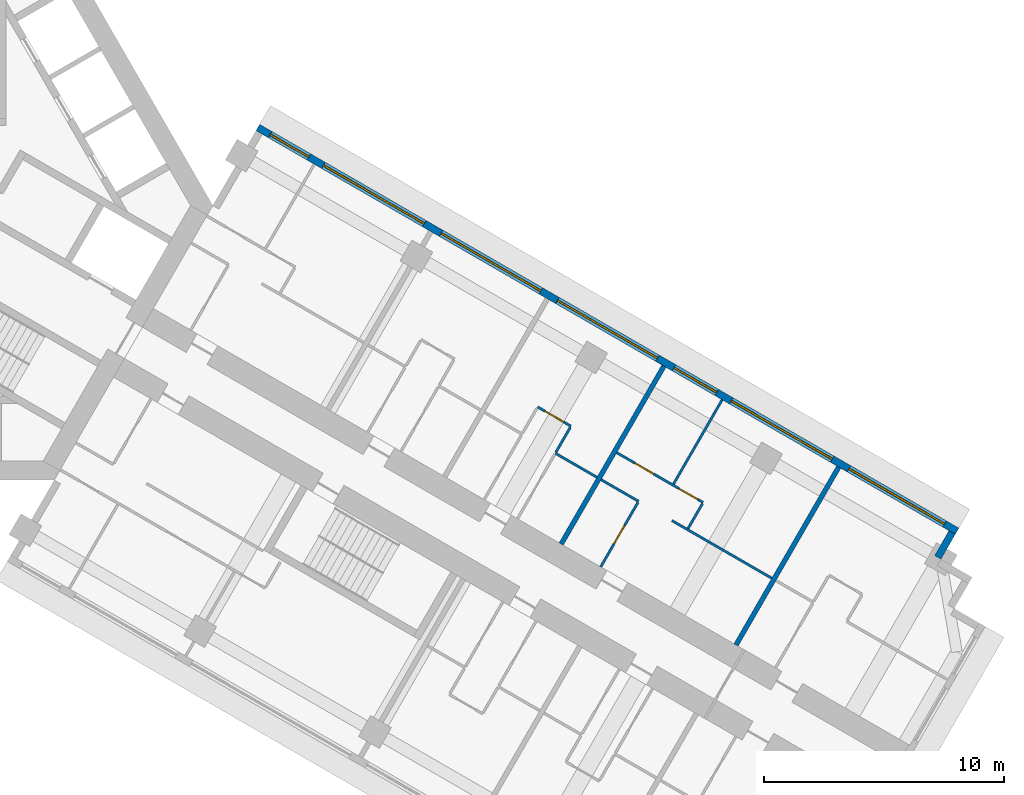
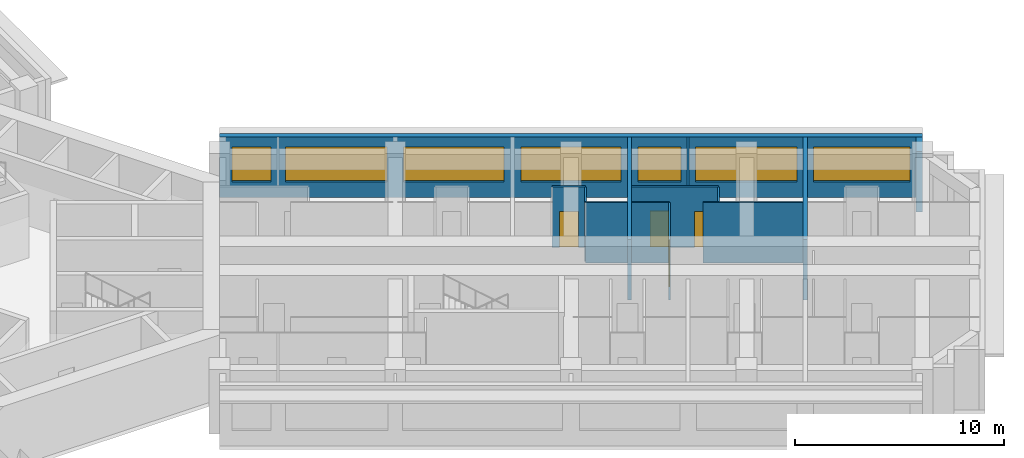
# One storey, part 11 of 13: 13 walls, 7 windows, 4 doors, 11 openings.
"""IFC4 building model written with IfcOpenShell, lengths in metres."""

from ifc_helpers import new_model, si_unit, direction, frame, frame_2d, origin, place, context, subcontext, project, spatial, rectangle, extrude, material, layer, layer_set, type_object, element, fill, save


model = new_model("IFC4")

# Units and contexts
model_context = context("Model", 3, precision=1e-05, world=origin(), true_north=direction((0.0, 1.0)))
body_context = subcontext(model_context, "Body", "Model", "MODEL_VIEW")
ifc_project = project(units=[si_unit("LENGTHUNIT", "METRE"), si_unit("AREAUNIT", "SQUARE_METRE"), si_unit("VOLUMEUNIT", "CUBIC_METRE"), si_unit("PLANEANGLEUNIT", "RADIAN"), si_unit("MASSUNIT", "GRAM", prefix="KILO")], contexts=[model_context])

# Site, building, storey
site_placement = place(None, origin())
site = spatial("IfcSite", under=ifc_project, at=site_placement, CompositionType="ELEMENT")
building_placement = place(site_placement, origin())
building = spatial("IfcBuilding", under=site, at=building_placement, Name="Impinga Residences", CompositionType="ELEMENT")
storey_placement = place(building_placement, frame((0.0, 0.0, 136.0)))
storey = spatial("IfcBuildingStorey", under=building, at=storey_placement, Name="L33", CompositionType="ELEMENT", Elevation=136.0)

# Wall
ifc_material_1 = material(Name="Terracotta rainscreen on blockwork", Category="masonry")
ifc_layer_1 = layer(ifc_material_1, 0.300048828125)
ifc_layer_set_1 = layer_set([ifc_layer_1], Name="EW1 external wall, terracotta rainscreen on blockwork 300")
wall_type_1 = type_object("IfcWallType", Name="EW1 external wall, terracotta rainscreen on blockwork 300", PredefinedType="SOLIDWALL", material=ifc_layer_set_1)
wall_1_placement = place(storey_placement, frame((43.968505859375, -13.607421875, 0.0), z_axis=(0.0, 0.0, 1.0), x_axis=(-0.500029051137, -0.866008630453, 0.0)))
element("IfcWall", 1, at=wall_1_placement, inside=storey, type_object=wall_type_1, Name="External wall EW1 L33", PredefinedType="SOLIDWALL", context=body_context, shape_type="SweptSolid", body=[
    extrude(rectangle(XDim=1.19482421875, YDim=0.300048828125, at=frame_2d((0.597412109375, 0.0))), origin(), (0.0, 0.0, 1.0), 3.530029296875),
])

# Wall, openings, windows
wall_2_placement = place(storey_placement, frame((15.074951171875, 3.24755859375, 0.0), z_axis=(0.0, 0.0, 1.0), x_axis=(0.866024291668, -0.500001926238, 0.0)))
wall_2 = element("IfcWall", 2, at=wall_2_placement, inside=storey, type_object=wall_type_1, Name="External wall EW1 L33", PredefinedType="SOLIDWALL", context=body_context, shape_type="SweptSolid", body=[
    extrude(rectangle(XDim=33.599853515625, YDim=0.300048828125, at=frame_2d((16.7998046875, 0.0))), origin(), (0.0, 0.0, 1.0), 3.530029296875),
])
opening_1_placement = place(wall_2_placement, frame((0.60009765625, 0.0, 0.89990234375)))
opening_1 = element("IfcOpeningElement", 3, at=opening_1_placement, cuts=wall_2, Name="Opening W15", PredefinedType="OPENING", context=body_context, shape_type="SweptSolid", body=[
    extrude(rectangle(XDim=1.85009765625, YDim=2.050048828125, at=frame_2d((0.925048828125, 1.02490234375))), frame((0.0, 0.159912109375, 0.0), z_axis=(0.0, -1.0, 0.0), x_axis=(1.0, 0.0, 0.0)), (0.0, 0.0, 1.0), 0.320068359375),
])
opening_2_placement = place(wall_2_placement, frame((3.14990234375, 0.0, 0.89990234375)))
opening_2 = element("IfcOpeningElement", 4, at=opening_2_placement, cuts=wall_2, Name="Opening W6", PredefinedType="OPENING", context=body_context, shape_type="SweptSolid", body=[
    extrude(rectangle(XDim=4.85009765625, YDim=2.050048828125, at=frame_2d((2.425048828125, 1.02490234375))), frame((0.0, 0.159912109375, 0.0), z_axis=(0.0, -1.0, 0.0), x_axis=(1.0, 0.0, 0.0)), (0.0, 0.0, 1.0), 0.320068359375),
])
opening_3_placement = place(wall_2_placement, frame((8.800048828125, 0.0, 0.89990234375)))
opening_3 = element("IfcOpeningElement", 5, at=opening_3_placement, cuts=wall_2, Name="Opening W8", PredefinedType="OPENING", context=body_context, shape_type="SweptSolid", body=[
    extrude(rectangle(XDim=4.800048828125, YDim=2.050048828125, at=frame_2d((2.39990234375, 1.02490234375))), frame((0.0, 0.159912109375, 0.0), z_axis=(0.0, -1.0, 0.0), x_axis=(1.0, 0.0, 0.0)), (0.0, 0.0, 1.0), 0.320068359375),
])
opening_4_placement = place(wall_2_placement, frame((14.39990234375, 0.0, 0.89990234375)))
opening_4 = element("IfcOpeningElement", 6, at=opening_4_placement, cuts=wall_2, Name="Opening W8", PredefinedType="OPENING", context=body_context, shape_type="SweptSolid", body=[
    extrude(rectangle(XDim=4.800048828125, YDim=2.050048828125, at=frame_2d((2.39990234375, 1.02490234375))), frame((0.0, 0.159912109375, 0.0), z_axis=(0.0, -1.0, 0.0), x_axis=(1.0, 0.0, 0.0)), (0.0, 0.0, 1.0), 0.320068359375),
])
opening_5_placement = place(wall_2_placement, frame((20.0, 0.0, 0.89990234375)))
opening_5 = element("IfcOpeningElement", 7, at=opening_5_placement, cuts=wall_2, Name="Opening W14", PredefinedType="OPENING", context=body_context, shape_type="SweptSolid", body=[
    extrude(rectangle(XDim=2.050048828125, YDim=2.050048828125, at=frame_2d((1.02490234375, 1.02490234375))), frame((0.0, 0.159912109375, 0.0), z_axis=(0.0, -1.0, 0.0), x_axis=(1.0, 0.0, 0.0)), (0.0, 0.0, 1.0), 0.320068359375),
])
opening_6_placement = place(wall_2_placement, frame((22.75, 0.0, 0.89990234375)))
opening_6 = element("IfcOpeningElement", 8, at=opening_6_placement, cuts=wall_2, Name="Opening W6", PredefinedType="OPENING", context=body_context, shape_type="SweptSolid", body=[
    extrude(rectangle(XDim=4.85009765625, YDim=2.050048828125, at=frame_2d((2.425048828125, 1.02490234375))), frame((0.0, 0.159912109375, 0.0), z_axis=(0.0, -1.0, 0.0), x_axis=(1.0, 0.0, 0.0)), (0.0, 0.0, 1.0), 0.320068359375),
])
opening_7_placement = place(wall_2_placement, frame((28.39990234375, 0.0, 0.89990234375)))
opening_7 = element("IfcOpeningElement", 9, at=opening_7_placement, cuts=wall_2, Name="Opening W3", PredefinedType="OPENING", context=body_context, shape_type="SweptSolid", body=[
    extrude(rectangle(XDim=4.60009765625, YDim=2.050048828125, at=frame_2d((2.300048828125, 1.02490234375))), frame((0.0, 0.159912109375, 0.0), z_axis=(0.0, -1.0, 0.0), x_axis=(1.0, 0.0, 0.0)), (0.0, 0.0, 1.0), 0.320068359375),
])
ifc_material_2 = material(Name="Aluminium window, clear double glazing", Category="aluminium")
window_type_1 = type_object("IfcWindowType", Name="W14 ribbon window 2050x2050", PartitioningType="SINGLE_PANEL", PredefinedType="WINDOW", material=ifc_material_2)
window_1_placement = place(opening_5_placement, origin())
window_1 = element("IfcWindow", 10, at=window_1_placement, inside=storey, type_object=window_type_1, Name="Window L33", OverallHeight=2.050048828125, OverallWidth=2.050048828125, PartitioningType="SINGLE_PANEL", PredefinedType="WINDOW", context=body_context, shape_type="SweptSolid", body=[
    extrude(rectangle(XDim=2.050048828125, YDim=2.050048828125, at=frame_2d((1.02490234375, 1.02490234375))), frame((0.0, 0.030029296875, 0.0), z_axis=(0.0, -1.0, 0.0), x_axis=(1.0, 0.0, 0.0)), (0.0, 0.0, 1.0), 0.06005859375),
])
fill(opening_5, window_1)
window_type_2 = type_object("IfcWindowType", Name="W15 ribbon window 1850x2050", PartitioningType="SINGLE_PANEL", PredefinedType="WINDOW", material=ifc_material_2)
window_2_placement = place(opening_1_placement, origin())
window_2 = element("IfcWindow", 11, at=window_2_placement, inside=storey, type_object=window_type_2, Name="Window L33", OverallHeight=2.050048828125, OverallWidth=1.85009765625, PartitioningType="SINGLE_PANEL", PredefinedType="WINDOW", context=body_context, shape_type="SweptSolid", body=[
    extrude(rectangle(XDim=1.85009765625, YDim=2.050048828125, at=frame_2d((0.925048828125, 1.02490234375))), frame((0.0, 0.030029296875, 0.0), z_axis=(0.0, -1.0, 0.0), x_axis=(1.0, 0.0, 0.0)), (0.0, 0.0, 1.0), 0.06005859375),
])
fill(opening_1, window_2)
window_type_3 = type_object("IfcWindowType", Name="W3 ribbon window 4600x2050", PartitioningType="SINGLE_PANEL", PredefinedType="WINDOW", material=ifc_material_2)
window_3_placement = place(opening_7_placement, origin())
window_3 = element("IfcWindow", 12, at=window_3_placement, inside=storey, type_object=window_type_3, Name="Window L33", OverallHeight=2.050048828125, OverallWidth=4.60009765625, PartitioningType="SINGLE_PANEL", PredefinedType="WINDOW", context=body_context, shape_type="SweptSolid", body=[
    extrude(rectangle(XDim=4.60009765625, YDim=2.050048828125, at=frame_2d((2.300048828125, 1.02490234375))), frame((0.0, 0.030029296875, 0.0), z_axis=(0.0, -1.0, 0.0), x_axis=(1.0, 0.0, 0.0)), (0.0, 0.0, 1.0), 0.06005859375),
])
fill(opening_7, window_3)
window_type_4 = type_object("IfcWindowType", Name="W6 ribbon window 4850x2050", PartitioningType="SINGLE_PANEL", PredefinedType="WINDOW", material=ifc_material_2)
window_4_placement = place(opening_2_placement, origin())
window_4 = element("IfcWindow", 13, at=window_4_placement, inside=storey, type_object=window_type_4, Name="Window L33", OverallHeight=2.050048828125, OverallWidth=4.85009765625, PartitioningType="SINGLE_PANEL", PredefinedType="WINDOW", context=body_context, shape_type="SweptSolid", body=[
    extrude(rectangle(XDim=4.85009765625, YDim=2.050048828125, at=frame_2d((2.425048828125, 1.02490234375))), frame((0.0, 0.030029296875, 0.0), z_axis=(0.0, -1.0, 0.0), x_axis=(1.0, 0.0, 0.0)), (0.0, 0.0, 1.0), 0.06005859375),
])
fill(opening_2, window_4)
window_5_placement = place(opening_6_placement, origin())
window_5 = element("IfcWindow", 14, at=window_5_placement, inside=storey, type_object=window_type_4, Name="Window L33", OverallHeight=2.050048828125, OverallWidth=4.85009765625, PartitioningType="SINGLE_PANEL", PredefinedType="WINDOW", context=body_context, shape_type="SweptSolid", body=[
    extrude(rectangle(XDim=4.85009765625, YDim=2.050048828125, at=frame_2d((2.425048828125, 1.02490234375))), frame((0.0, 0.030029296875, 0.0), z_axis=(0.0, -1.0, 0.0), x_axis=(1.0, 0.0, 0.0)), (0.0, 0.0, 1.0), 0.06005859375),
])
fill(opening_6, window_5)
window_type_5 = type_object("IfcWindowType", Name="W8 ribbon window 4800x2050", PartitioningType="SINGLE_PANEL", PredefinedType="WINDOW", material=ifc_material_2)
window_6_placement = place(opening_3_placement, origin())
window_6 = element("IfcWindow", 15, at=window_6_placement, inside=storey, type_object=window_type_5, Name="Window L33", OverallHeight=2.050048828125, OverallWidth=4.800048828125, PartitioningType="SINGLE_PANEL", PredefinedType="WINDOW", context=body_context, shape_type="SweptSolid", body=[
    extrude(rectangle(XDim=4.800048828125, YDim=2.050048828125, at=frame_2d((2.39990234375, 1.02490234375))), frame((0.0, 0.030029296875, 0.0), z_axis=(0.0, -1.0, 0.0), x_axis=(1.0, 0.0, 0.0)), (0.0, 0.0, 1.0), 0.06005859375),
])
fill(opening_3, window_6)
window_7_placement = place(opening_4_placement, origin())
window_7 = element("IfcWindow", 16, at=window_7_placement, inside=storey, type_object=window_type_5, Name="Window L33", OverallHeight=2.050048828125, OverallWidth=4.800048828125, PartitioningType="SINGLE_PANEL", PredefinedType="WINDOW", context=body_context, shape_type="SweptSolid", body=[
    extrude(rectangle(XDim=4.800048828125, YDim=2.050048828125, at=frame_2d((2.39990234375, 1.02490234375))), frame((0.0, 0.030029296875, 0.0), z_axis=(0.0, -1.0, 0.0), x_axis=(1.0, 0.0, 0.0)), (0.0, 0.0, 1.0), 0.06005859375),
])
fill(opening_4, window_7)

# Wall
ifc_material_3 = material(Name="Gypsum board on steel studs", Category="steel")
ifc_layer_2 = layer(ifc_material_3, 0.10009765625)
ifc_layer_set_2 = layer_set([ifc_layer_2], Name="Gypsum board on steel studs")
wall_type_2 = type_object("IfcWallType", Name="IP1 partition 100", PredefinedType="PARTITIONING", material=ifc_layer_set_2)
wall_3_placement = place(storey_placement, frame((27.45556640625, -10.308837890625, 0.0), z_axis=(0.0, 0.0, 1.0), x_axis=(0.866010750942, -0.50002537861, 0.0)))
element("IfcWall", 17, at=wall_3_placement, inside=storey, type_object=wall_type_2, Name="Partition L33-EA3:DIV1", PredefinedType="PARTITIONING", context=body_context, shape_type="SweptSolid", body=[
    extrude(rectangle(XDim=2.0, YDim=0.10009765625, at=frame_2d((1.0, 0.0))), origin(), (0.0, 0.0, 1.0), 3.530029296875),
])

# Wall, opening, door
wall_4_placement = place(storey_placement, frame((26.7197265625, -8.383056640625, 0.0), z_axis=(0.0, 0.0, 1.0), x_axis=(0.866028054938, -0.499995408039, 0.0)))
wall_4 = element("IfcWall", 18, at=wall_4_placement, inside=storey, type_object=wall_type_2, Name="Partition L33-EA3:STRIP", PredefinedType="PARTITIONING", context=body_context, shape_type="SweptSolid", body=[
    extrude(rectangle(XDim=1.60009765625, YDim=0.10009765625, at=frame_2d((0.800048828125, 0.0))), origin(), (0.0, 0.0, 1.0), 3.530029296875),
])
opening_8_placement = place(wall_4_placement, frame((0.35009765625, 0.0, 0.0)))
opening_8 = element("IfcOpeningElement", 19, at=opening_8_placement, cuts=wall_4, Name="Opening D2", PredefinedType="OPENING", context=body_context, shape_type="SweptSolid", body=[
    extrude(rectangle(XDim=0.89990234375, YDim=2.10009765625, at=frame_2d((0.449951171875, 1.050048828125))), frame((0.0, 0.06005859375, 0.0), z_axis=(0.0, -1.0, 0.0), x_axis=(1.0, 0.0, 0.0)), (0.0, 0.0, 1.0), 0.1201171875),
])
ifc_material_4 = material(Name="Timber door set", Category="wood")
door_type = type_object("IfcDoorType", Name="D2 internal door 900x2100", OperationType="SINGLE_SWING_LEFT", PredefinedType="DOOR", material=ifc_material_4)
door_1_placement = place(opening_8_placement, origin())
door_1 = element("IfcDoor", 20, at=door_1_placement, inside=storey, type_object=door_type, Name="Apartment L33-EA3 room door", OperationType="SINGLE_SWING_LEFT", OverallHeight=2.10009765625, OverallWidth=0.89990234375, PredefinedType="DOOR", context=body_context, shape_type="SweptSolid", body=[
    extrude(rectangle(XDim=0.89990234375, YDim=2.10009765625, at=frame_2d((0.449951171875, 1.050048828125))), frame((0.0, 0.02490234375, 0.0), z_axis=(0.0, -1.0, 0.0), x_axis=(1.0, 0.0, 0.0)), (0.0, 0.0, 1.0), 0.050048828125),
])
fill(opening_8, door_1)

# Walls
wall_5_placement = place(storey_placement, frame((27.48046875, -10.265625, 0.0), z_axis=(0.0, 0.0, 1.0), x_axis=(0.500033551112, 0.866006032174, 0.0)))
element("IfcWall", 21, at=wall_5_placement, inside=storey, type_object=wall_type_2, Name="Partition L33-EA3:SE1", PredefinedType="PARTITIONING", context=body_context, shape_type="SweptSolid", body=[
    extrude(rectangle(XDim=1.2001953125, YDim=0.10009765625, at=frame_2d((0.60009765625, 0.0))), origin(), (0.0, 0.0, 1.0), 3.530029296875),
])
wall_6_placement = place(storey_placement, frame((29.360595703125, -11.408935546875, 0.0), z_axis=(0.0, 0.0, 1.0), x_axis=(0.866047807691, -0.499961193289, 0.0)))
element("IfcWall", 22, at=wall_6_placement, inside=storey, type_object=wall_type_2, Name="Partition L33-EA4:DIV0", PredefinedType="PARTITIONING", context=body_context, shape_type="SweptSolid", body=[
    extrude(rectangle(XDim=1.800048828125, YDim=0.10009765625, at=frame_2d((0.89990234375, 0.0))), origin(), (0.0, 0.0, 1.0), 3.530029296875),
])
wall_7_placement = place(storey_placement, frame((32.30517578125, -13.10888671875, 0.0), z_axis=(0.0, 0.0, 1.0), x_axis=(0.866037363387, -0.499979284789, 0.0)))
element("IfcWall", 23, at=wall_7_placement, inside=storey, type_object=wall_type_2, Name="Partition L33-EA4:DIV1", PredefinedType="PARTITIONING", context=body_context, shape_type="SweptSolid", body=[
    extrude(rectangle(XDim=4.800048828125, YDim=0.10009765625, at=frame_2d((2.39990234375, 0.0))), origin(), (0.0, 0.0, 1.0), 3.530029296875),
])

# Wall, openings, doors
wall_8_placement = place(storey_placement, frame((30.0107421875, -10.282958984375, 0.0), z_axis=(0.0, 0.0, 1.0), x_axis=(0.86602981871, -0.499992353047, 0.0)))
wall_8 = element("IfcWall", 24, at=wall_8_placement, inside=storey, type_object=wall_type_2, Name="Partition L33-EA4:STRIP", PredefinedType="PARTITIONING", context=body_context, shape_type="SweptSolid", body=[
    extrude(rectangle(XDim=4.14990234375, YDim=0.10009765625, at=frame_2d((2.074951171875, 0.0))), origin(), (0.0, 0.0, 1.0), 3.530029296875),
])
opening_9_placement = place(wall_8_placement, frame((0.875, 0.0, 0.0)))
opening_9 = element("IfcOpeningElement", 25, at=opening_9_placement, cuts=wall_8, Name="Opening D2", PredefinedType="OPENING", context=body_context, shape_type="SweptSolid", body=[
    extrude(rectangle(XDim=0.89990234375, YDim=2.10009765625, at=frame_2d((0.449951171875, 1.050048828125))), frame((0.0, 0.06005859375, 0.0), z_axis=(0.0, -1.0, 0.0), x_axis=(1.0, 0.0, 0.0)), (0.0, 0.0, 1.0), 0.1201171875),
])
opening_10_placement = place(wall_8_placement, frame((3.0, 0.0, 0.0)))
opening_10 = element("IfcOpeningElement", 26, at=opening_10_placement, cuts=wall_8, Name="Opening D2", PredefinedType="OPENING", context=body_context, shape_type="SweptSolid", body=[
    extrude(rectangle(XDim=0.89990234375, YDim=2.10009765625, at=frame_2d((0.449951171875, 1.050048828125))), frame((0.0, 0.06005859375, 0.0), z_axis=(0.0, -1.0, 0.0), x_axis=(1.0, 0.0, 0.0)), (0.0, 0.0, 1.0), 0.1201171875),
])
door_2_placement = place(opening_9_placement, origin())
door_2 = element("IfcDoor", 27, at=door_2_placement, inside=storey, type_object=door_type, Name="Apartment L33-EA4 room door", OperationType="SINGLE_SWING_LEFT", OverallHeight=2.10009765625, OverallWidth=0.89990234375, PredefinedType="DOOR", context=body_context, shape_type="SweptSolid", body=[
    extrude(rectangle(XDim=0.89990234375, YDim=2.10009765625, at=frame_2d((0.449951171875, 1.050048828125))), frame((0.0, 0.02490234375, 0.0), z_axis=(0.0, -1.0, 0.0), x_axis=(1.0, 0.0, 0.0)), (0.0, 0.0, 1.0), 0.050048828125),
])
fill(opening_9, door_2)
door_3_placement = place(opening_10_placement, origin())
door_3 = element("IfcDoor", 28, at=door_3_placement, inside=storey, type_object=door_type, Name="Apartment L33-EA4 room door", OperationType="SINGLE_SWING_RIGHT", OverallHeight=2.10009765625, OverallWidth=0.89990234375, PredefinedType="DOOR", context=body_context, shape_type="SweptSolid", body=[
    extrude(rectangle(XDim=0.89990234375, YDim=2.10009765625, at=frame_2d((0.449951171875, 1.050048828125))), frame((0.0, 0.02490234375, 0.0), z_axis=(0.0, -1.0, 0.0), x_axis=(1.0, 0.0, 0.0)), (0.0, 0.0, 1.0), 0.050048828125),
])
fill(opening_10, door_3)

# Wall
wall_9_placement = place(storey_placement, frame((32.979736328125, -13.4404296875, 0.0), z_axis=(0.0, 0.0, 1.0), x_axis=(0.499969057507, 0.866043267704, 0.0)))
element("IfcWall", 29, at=wall_9_placement, inside=storey, type_object=wall_type_2, Name="Partition L33-EA4:SE1", PredefinedType="PARTITIONING", context=body_context, shape_type="SweptSolid", body=[
    extrude(rectangle(XDim=1.19970703125, YDim=0.10009765625, at=frame_2d((0.599853515625, 0.0))), origin(), (0.0, 0.0, 1.0), 3.530029296875),
])

# Wall, opening, door
wall_10_placement = place(storey_placement, frame((29.344482421875, -15.036865234375, 0.0), z_axis=(0.0, 0.0, 1.0), x_axis=(0.49999285859, 0.86602952684, 0.0)))
wall_10 = element("IfcWall", 30, at=wall_10_placement, inside=storey, type_object=wall_type_2, Name="Partition L33-EA4:IB1", PredefinedType="PARTITIONING", context=body_context, shape_type="SweptSolid", body=[
    extrude(rectangle(XDim=3.10009765625, YDim=0.10009765625, at=frame_2d((1.550048828125, 0.0))), origin(), (0.0, 0.0, 1.0), 3.530029296875),
])
opening_11_placement = place(wall_10_placement, frame((1.10009765625, 0.0, 0.0)))
opening_11 = element("IfcOpeningElement", 31, at=opening_11_placement, cuts=wall_10, Name="Opening D2", PredefinedType="OPENING", context=body_context, shape_type="SweptSolid", body=[
    extrude(rectangle(XDim=0.89990234375, YDim=2.10009765625, at=frame_2d((0.449951171875, 1.050048828125))), frame((0.0, 0.06005859375, 0.0), z_axis=(0.0, -1.0, 0.0), x_axis=(1.0, 0.0, 0.0)), (0.0, 0.0, 1.0), 0.1201171875),
])
door_4_placement = place(opening_11_placement, origin())
door_4 = element("IfcDoor", 32, at=door_4_placement, inside=storey, type_object=door_type, Name="Apartment L33-EA4 bathroom door", OperationType="SINGLE_SWING_LEFT", OverallHeight=2.10009765625, OverallWidth=0.89990234375, PredefinedType="DOOR", context=body_context, shape_type="SweptSolid", body=[
    extrude(rectangle(XDim=0.89990234375, YDim=2.10009765625, at=frame_2d((0.449951171875, 1.050048828125))), frame((0.0, 0.02490234375, 0.0), z_axis=(0.0, -1.0, 0.0), x_axis=(1.0, 0.0, 0.0)), (0.0, 0.0, 1.0), 0.050048828125),
])
fill(opening_11, door_4)

# Walls
wall_11_placement = place(storey_placement, frame((32.3740234375, -11.589599609375, 0.0), z_axis=(0.0, 0.0, 1.0), x_axis=(0.499990325971, 0.866030989016, 0.0)))
element("IfcWall", 33, at=wall_11_placement, inside=storey, type_object=wall_type_2, Name="Partition L33-EA4:OB1", PredefinedType="PARTITIONING", context=body_context, shape_type="SweptSolid", body=[
    extrude(rectangle(XDim=4.0498046875, YDim=0.10009765625, at=frame_2d((2.02490234375, 0.0))), origin(), (0.0, 0.0, 1.0), 3.530029296875),
])
ifc_material_5 = material(Name="Concrete blockwork", Category="masonry")
ifc_layer_3 = layer(ifc_material_5, 0.199951171875)
ifc_layer_set_3 = layer_set([ifc_layer_3], Name="PW1 party wall between apartments 200")
wall_type_3 = type_object("IfcWallType", Name="PW1 party wall between apartments 200", PredefinedType="SOLIDWALL", material=ifc_layer_set_3)
for number, where, z_axis, x_axis, name in (
    (34, (27.69921875, -14.0869140625, 0.0), (0.0, 0.0, 1.0), (0.499990227581, 0.86603104582, 0.0), "Party wall between apartments L33-EA3:PARTY"),
    (35, (34.9736328125, -18.286865234375, 0.0), (0.0, 0.0, 1.0), (0.500011643316, 0.866018681408, 0.0), "Party wall between apartments L33-EA4:PARTY"),
):
    element("IfcWall", number, at=place(storey_placement, frame(where, z_axis=z_axis, x_axis=x_axis)), inside=storey, type_object=wall_type_3, Name=name, PredefinedType="SOLIDWALL", context=body_context, shape_type="SweptSolid", body=[
        extrude(rectangle(XDim=8.550048828125, YDim=0.199951171875, at=frame_2d((4.27490234375, 0.0))), origin(), (0.0, 0.0, 1.0), 3.530029296875),
    ])

save(model, "model.ifc")
